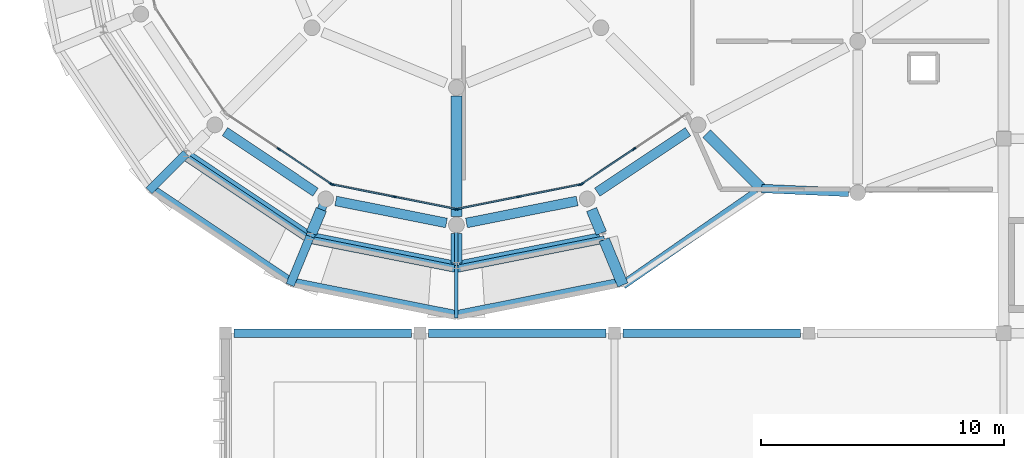
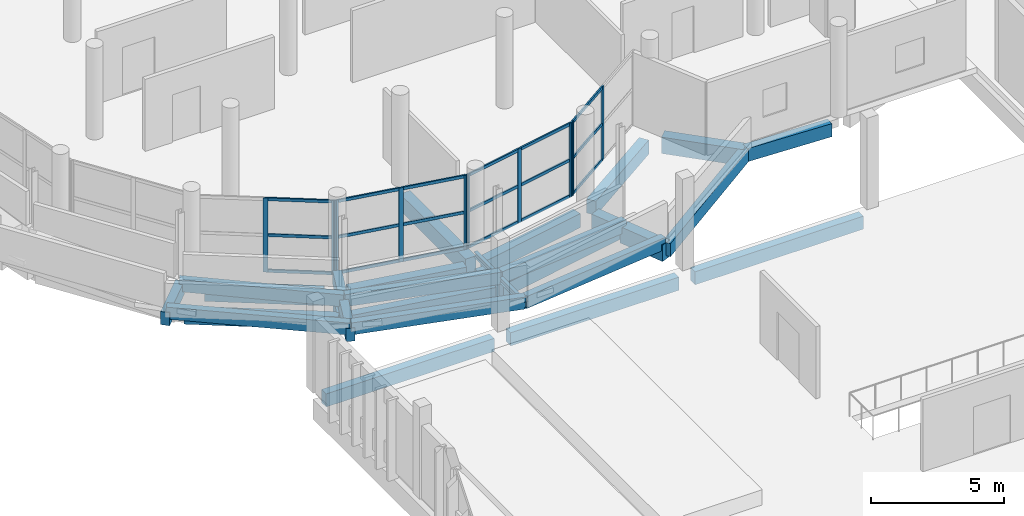
# One storey, part 9 of 137: 29 beams, 28 members, 4 elements without a shape of their own.
"""IFC4 building model written with IfcOpenShell, lengths in metres."""

from ifc_helpers import new_model, si_unit, direction, frame, origin, origin_2d, place, context, subcontext, project, spatial, rectangle, i_section, extrude, material, layer, layer_set, material_profile, profile_set, type_object, element, aggregate, save


model = new_model("IFC4")

# Units and contexts
model_context = context("Model", 3, precision=1e-05, world=origin(), true_north=direction((0.0, 1.0)))
body_context = subcontext(model_context, "Body", "Model", "MODEL_VIEW")
ifc_project = project(units=[si_unit("LENGTHUNIT", "METRE"), si_unit("AREAUNIT", "SQUARE_METRE"), si_unit("VOLUMEUNIT", "CUBIC_METRE"), si_unit("PLANEANGLEUNIT", "RADIAN"), si_unit("MASSUNIT", "GRAM", prefix="KILO")], contexts=[model_context])

# Site, building, storey
site_placement = place(None, origin())
site = spatial("IfcSite", under=ifc_project, at=site_placement, CompositionType="ELEMENT")
building_placement = place(site_placement, origin())
building = spatial("IfcBuilding", under=site, at=building_placement, Name="Jelvoka-Kovrelna Polytechnic", CompositionType="ELEMENT")
storey_placement = place(building_placement, frame((0.0, 0.0, 9.60009765625)))
storey = spatial("IfcBuildingStorey", under=building, at=storey_placement, Name="L03", CompositionType="ELEMENT", Elevation=9.60009765625)

# Beams
ifc_material_1 = material(Name="Concrete C35/45", Category="concrete")
ifc_material_profile_1 = material_profile(ifc_material_1, rectangle(XDim=0.35009765625, YDim=0.60009765625, at=origin_2d()), Name="RC 350x600")
ifc_profile_set_1 = profile_set([ifc_material_profile_1], Name="Concrete C35/45")
beam_type_1 = type_object("IfcBeamType", Name="Beam_RC_350x600", PredefinedType="BEAM", material=ifc_profile_set_1)
beam_1_placement = place(storey_placement, frame((20.123291015625, 29.51953125, 0.31494140625), z_axis=(-0.38270467954, -0.923870731357, 0.0), x_axis=(0.923870731357, -0.38270467954, 0.0)))
element("IfcBeam", 1, at=beam_1_placement, inside=storey, type_object=beam_type_1, Name="L03 spiral ramp inner tie beam 3.9", PredefinedType="BEAM", context=body_context, shape_type="SweptSolid", body=[
    extrude(rectangle(XDim=0.35009765625, YDim=0.60009765625, at=origin_2d()), origin(), (0.0, 0.0, 1.0), 1.670166015625),
])
for number, where, z_axis, x_axis, name in (
    (2, (19.484130859375, 27.9765625, 0.31494140625), (-0.382608018592, -0.923910766313, 0.0), (0.923910766313, -0.382608018592, 0.0), "L03 spiral ramp cantilever bracket 3.9"),
    (3, (14.38427734375, 31.38427734375, 0.73486328125), (-0.707106781187, -0.707106781187, 0.0), (0.707106781187, -0.707106781187, 0.0), "L03 spiral ramp cantilever bracket 3.8"),
):
    element("IfcBeam", number, at=place(storey_placement, frame(where, z_axis=z_axis, x_axis=x_axis)), inside=storey, type_object=beam_type_1, Name=name, PredefinedType="BEAM", context=body_context, shape_type="SweptSolid", body=[
        extrude(rectangle(XDim=0.35009765625, YDim=0.60009765625, at=origin_2d()), origin(), (0.0, 0.0, 1.0), 2.159912109375),
    ])
ifc_material_2 = material(Name="Concrete C40/50", Category="concrete")
ifc_material_profile_2 = material_profile(ifc_material_2, rectangle(XDim=0.39990234375, YDim=0.64990234375, at=origin_2d()), Name="RC 400x650")
ifc_profile_set_2 = profile_set([ifc_material_profile_2], Name="Concrete C40/50")
beam_type_2 = type_object("IfcBeamType", Name="Beam_RC_400x650", PredefinedType="BEAM", material=ifc_profile_set_2)
beam_2_placement = place(storey_placement, frame((15.98095703125, 32.287109375, -0.5751953125), z_axis=(0.831496756319, -0.55552960698, 0.0), x_axis=(0.55552960698, 0.831496756319, 0.0)))
element("IfcBeam", 4, at=beam_2_placement, inside=storey, type_object=beam_type_2, Name="L03 beam 2492", PredefinedType="BEAM", context=body_context, shape_type="SweptSolid", body=[
    extrude(rectangle(XDim=0.39990234375, YDim=0.64990234375, at=origin_2d()), origin(), (0.0, 0.0, 1.0), 4.481689453125),
])
for number, where, z_axis, x_axis, name in (
    (5, (20.5361328125, 29.4375, -0.5751953125), (0.980774461066, -0.195144706619, 0.0), (0.195144706619, 0.980774461066, 0.0), "L03 beam 2493"),
    (6, (25.912841796875, 28.531982421875, -0.5751953125), (0.980774461066, 0.195144706619, 0.0), (-0.195144706619, 0.980774461066, 0.0), "L03 beam 2494"),
):
    element("IfcBeam", number, at=place(storey_placement, frame(where, z_axis=z_axis, x_axis=x_axis)), inside=storey, type_object=beam_type_2, Name=name, PredefinedType="BEAM", context=body_context, shape_type="SweptSolid", body=[
        extrude(rectangle(XDim=0.39990234375, YDim=0.64990234375, at=origin_2d()), origin(), (0.0, 0.0, 1.0), 4.64013671875),
    ])
beam_3_placement = place(storey_placement, frame((31.29248046875, 29.79736328125, -0.5751953125), z_axis=(0.831496756319, 0.55552960698, 0.0), x_axis=(-0.55552960698, 0.831496756319, 0.0)))
element("IfcBeam", 7, at=beam_3_placement, inside=storey, type_object=beam_type_2, Name="L03 beam 2495", PredefinedType="BEAM", context=body_context, shape_type="SweptSolid", body=[
    extrude(rectangle(XDim=0.39990234375, YDim=0.64990234375, at=origin_2d()), origin(), (0.0, 0.0, 1.0), 4.481689453125),
])
ifc_material_3 = material(Name="Concrete C40/50", Category="concrete")
ifc_material_profile_3 = material_profile(ifc_material_3, rectangle(XDim=0.449951171875, YDim=0.75, at=origin_2d()), Name="RC 450x750")
ifc_profile_set_3 = profile_set([ifc_material_profile_3], Name="Concrete C40/50")
beam_type_3 = type_object("IfcBeamType", Name="Beam_RC_450x750", PredefinedType="BEAM", material=ifc_profile_set_3)
beam_4_placement = place(storey_placement, frame((25.5, 33.7451171875, -0.625), z_axis=(0.0, -1.0, 0.0), x_axis=(1.0, 0.0, 0.0)))
element("IfcBeam", 8, at=beam_4_placement, inside=storey, type_object=beam_type_3, Name="L03 beam 2475", PredefinedType="BEAM", context=body_context, shape_type="SweptSolid", body=[
    extrude(rectangle(XDim=0.449951171875, YDim=0.75, at=origin_2d()), origin(), (0.0, 0.0, 1.0), 4.940185546875),
])
beam_5_placement = place(storey_placement, frame((19.943603515625, 29.085205078125, -0.625), z_axis=(-0.382822216634, -0.923822033971, 0.0), x_axis=(0.923822033971, -0.382822216634, 0.0)))
element("IfcBeam", 9, at=beam_5_placement, inside=storey, type_object=beam_type_3, Name="L03 beam 2506", PredefinedType="BEAM", context=body_context, shape_type="SweptSolid", body=[
    extrude(rectangle(XDim=0.449951171875, YDim=0.75, at=origin_2d()), origin(), (0.0, 0.0, 1.0), 1.05419921875),
])
beam_6_placement = place(storey_placement, frame((25.5, 28.094970703125, -0.625), z_axis=(0.0, -1.0, 0.0), x_axis=(1.0, 0.0, 0.0)))
element("IfcBeam", 10, at=beam_6_placement, inside=storey, type_object=beam_type_3, Name="L03 beam 2507", PredefinedType="BEAM", context=body_context, shape_type="SweptSolid", body=[
    extrude(rectangle(XDim=0.449951171875, YDim=0.75, at=origin_2d()), origin(), (0.0, 0.0, 1.0), 1.2080078125),
])
beam_7_placement = place(storey_placement, frame((31.056396484375, 29.085205078125, -0.625), z_axis=(0.382822216634, -0.923822033971, 0.0), x_axis=(0.923822033971, 0.382822216634, 0.0)))
element("IfcBeam", 11, at=beam_7_placement, inside=storey, type_object=beam_type_3, Name="L03 beam 2508", PredefinedType="BEAM", context=body_context, shape_type="SweptSolid", body=[
    extrude(rectangle(XDim=0.449951171875, YDim=0.75, at=origin_2d()), origin(), (0.0, 0.0, 1.0), 1.05419921875),
])
beam_8_placement = place(storey_placement, frame((31.571533203125, 27.841796875, -0.625), z_axis=(0.38266938507, -0.923885350966, 0.0), x_axis=(0.923885350966, 0.38266938507, 0.0)))
element("IfcBeam", 12, at=beam_8_placement, inside=storey, type_object=beam_type_3, Name="L03 beam 2509", PredefinedType="BEAM", context=body_context, shape_type="SweptSolid", body=[
    extrude(rectangle(XDim=0.449951171875, YDim=0.75, at=origin_2d()), origin(), (0.0, 0.0, 1.0), 2.01416015625),
])
beam_9_placement = place(storey_placement, frame((35.7958984375, 32.2041015625, -0.625), z_axis=(0.707106781187, -0.707106781187, 0.0), x_axis=(0.707106781187, 0.707106781187, 0.0)))
element("IfcBeam", 13, at=beam_9_placement, inside=storey, type_object=beam_type_3, Name="L03 beam 2510", PredefinedType="BEAM", context=body_context, shape_type="SweptSolid", body=[
    extrude(rectangle(XDim=0.449951171875, YDim=0.75, at=origin_2d()), origin(), (0.0, 0.0, 1.0), 3.189208984375),
])

# Curtain wall, members
ifc_material_4 = material(Name="Anodised aluminium 6063-T6", Category="aluminium")
ifc_layer = layer(ifc_material_4, 0.179931640625)
ifc_layer_set = layer_set([ifc_layer], Name="Anodised aluminium 6063-T6")
curtain_wall_type = type_object("IfcCurtainWallType", Name="CW_Pavilion", PredefinedType="NOTDEFINED", material=ifc_layer_set)
curtain_wall_1_placement = place(storey_placement, origin())
curtain_wall_1 = element("IfcCurtainWall", 14, at=curtain_wall_1_placement, inside=storey, type_object=curtain_wall_type, Name="L03 glazed curtain wall 240", PredefinedType="NOTDEFINED")
ifc_material_5 = material(Name="Anodised aluminium 6063-T6", Category="aluminium")
ifc_material_profile_4 = material_profile(ifc_material_5, rectangle(XDim=0.06494140625, YDim=0.179931640625, at=origin_2d()), Name="ALU 65x180")
ifc_profile_set_4 = profile_set([ifc_material_profile_4], Name="Anodised aluminium 6063-T6")
member_type_1 = type_object("IfcMemberType", Name="Mullion_M-05", PredefinedType="MULLION", material=ifc_profile_set_4)
member_1_placement = place(storey_placement, frame((20.344970703125, 30.137939453125, -0.02490234375), z_axis=(0.0, 0.0, 1.0), x_axis=(-0.555582639326, -0.83146132254, 0.0)))
member_1 = element("IfcMember", 15, at=member_1_placement, type_object=member_type_1, Name="CW-05 mullion 1", PredefinedType="MULLION", context=body_context, shape_type="SweptSolid", body=[
    extrude(rectangle(XDim=0.06494140625, YDim=0.179931640625, at=origin_2d()), origin(), (0.0, 0.0, 1.0), 3.39990234375),
])
member_2_placement = place(storey_placement, frame((18.198486328125, 31.572509765625, -0.02490234375), z_axis=(0.0, 0.0, 1.0), x_axis=(-0.555582639326, -0.83146132254, 0.0)))
member_2 = element("IfcMember", 16, at=member_2_placement, type_object=member_type_1, Name="CW-05 mullion 2", PredefinedType="MULLION", context=body_context, shape_type="SweptSolid", body=[
    extrude(rectangle(XDim=0.06494140625, YDim=0.179931640625, at=origin_2d()), origin(), (0.0, 0.0, 1.0), 3.39990234375),
])

curtain_wall_2_placement = place(storey_placement, origin())
curtain_wall_2 = element("IfcCurtainWall", 17, at=curtain_wall_2_placement, inside=storey, type_object=curtain_wall_type, Name="L03 glazed curtain wall 241", PredefinedType="NOTDEFINED")
member_3_placement = place(storey_placement, frame((25.468017578125, 29.1064453125, -0.02490234375), z_axis=(0.0, 0.0, 1.0), x_axis=(-0.195086160371, -0.980786108197, 0.0)))
member_3 = element("IfcMember", 18, at=member_3_placement, type_object=member_type_1, Name="CW-05 mullion 1", PredefinedType="MULLION", context=body_context, shape_type="SweptSolid", body=[
    extrude(rectangle(XDim=0.06494140625, YDim=0.179931640625, at=origin_2d()), origin(), (0.0, 0.0, 1.0), 3.39990234375),
])
member_4_placement = place(storey_placement, frame((22.93603515625, 29.610107421875, -0.02490234375), z_axis=(0.0, 0.0, 1.0), x_axis=(-0.195086160371, -0.980786108197, 0.0)))
member_4 = element("IfcMember", 19, at=member_4_placement, type_object=member_type_1, Name="CW-05 mullion 2", PredefinedType="MULLION", context=body_context, shape_type="SweptSolid", body=[
    extrude(rectangle(XDim=0.06494140625, YDim=0.179931640625, at=origin_2d()), origin(), (0.0, 0.0, 1.0), 3.39990234375),
])
member_5_placement = place(storey_placement, frame((20.40380859375, 30.11376953125, -0.02490234375), z_axis=(0.0, 0.0, 1.0), x_axis=(-0.195086160371, -0.980786108197, 0.0)))
member_5 = element("IfcMember", 20, at=member_5_placement, type_object=member_type_1, Name="CW-05 mullion 3", PredefinedType="MULLION", context=body_context, shape_type="SweptSolid", body=[
    extrude(rectangle(XDim=0.06494140625, YDim=0.179931640625, at=origin_2d()), origin(), (0.0, 0.0, 1.0), 3.39990234375),
])

curtain_wall_3_placement = place(storey_placement, origin())
curtain_wall_3 = element("IfcCurtainWall", 21, at=curtain_wall_3_placement, inside=storey, type_object=curtain_wall_type, Name="L03 glazed curtain wall 242", PredefinedType="NOTDEFINED")
member_6_placement = place(storey_placement, frame((30.59619140625, 30.11376953125, -0.02490234375), z_axis=(0.0, 0.0, 1.0), x_axis=(0.195086160371, -0.980786108197, 0.0)))
member_6 = element("IfcMember", 22, at=member_6_placement, type_object=member_type_1, Name="CW-05 mullion 1", PredefinedType="MULLION", context=body_context, shape_type="SweptSolid", body=[
    extrude(rectangle(XDim=0.06494140625, YDim=0.179931640625, at=origin_2d()), origin(), (0.0, 0.0, 1.0), 3.39990234375),
])
member_7_placement = place(storey_placement, frame((28.06396484375, 29.610107421875, -0.02490234375), z_axis=(0.0, 0.0, 1.0), x_axis=(0.195086160371, -0.980786108197, 0.0)))
member_7 = element("IfcMember", 23, at=member_7_placement, type_object=member_type_1, Name="CW-05 mullion 2", PredefinedType="MULLION", context=body_context, shape_type="SweptSolid", body=[
    extrude(rectangle(XDim=0.06494140625, YDim=0.179931640625, at=origin_2d()), origin(), (0.0, 0.0, 1.0), 3.39990234375),
])
member_8_placement = place(storey_placement, frame((25.531982421875, 29.1064453125, -0.02490234375), z_axis=(0.0, 0.0, 1.0), x_axis=(0.195086160371, -0.980786108197, 0.0)))
member_8 = element("IfcMember", 24, at=member_8_placement, type_object=member_type_1, Name="CW-05 mullion 3", PredefinedType="MULLION", context=body_context, shape_type="SweptSolid", body=[
    extrude(rectangle(XDim=0.06494140625, YDim=0.179931640625, at=origin_2d()), origin(), (0.0, 0.0, 1.0), 3.39990234375),
])

curtain_wall_4_placement = place(storey_placement, origin())
curtain_wall_4 = element("IfcCurtainWall", 25, at=curtain_wall_4_placement, inside=storey, type_object=curtain_wall_type, Name="L03 glazed curtain wall 243", PredefinedType="NOTDEFINED")
member_9_placement = place(storey_placement, frame((32.801513671875, 31.572509765625, -0.02490234375), z_axis=(0.0, 0.0, 1.0), x_axis=(0.555582639326, -0.83146132254, 0.0)))
member_9 = element("IfcMember", 26, at=member_9_placement, type_object=member_type_1, Name="CW-05 mullion 2", PredefinedType="MULLION", context=body_context, shape_type="SweptSolid", body=[
    extrude(rectangle(XDim=0.06494140625, YDim=0.179931640625, at=origin_2d()), origin(), (0.0, 0.0, 1.0), 3.39990234375),
])
member_10_placement = place(storey_placement, frame((30.655029296875, 30.137939453125, -0.02490234375), z_axis=(0.0, 0.0, 1.0), x_axis=(0.555582639326, -0.83146132254, 0.0)))
member_10 = element("IfcMember", 27, at=member_10_placement, type_object=member_type_1, Name="CW-05 mullion 3", PredefinedType="MULLION", context=body_context, shape_type="SweptSolid", body=[
    extrude(rectangle(XDim=0.06494140625, YDim=0.179931640625, at=origin_2d()), origin(), (0.0, 0.0, 1.0), 3.39990234375),
])

# Beams
ifc_material_6 = material(Name="Structural steel S355JR", Category="steel")
ifc_material_profile_5 = material_profile(ifc_material_6, i_section(OverallWidth=0.14599609375, OverallDepth=0.25146484375, WebThickness=0.006103515625, FlangeThickness=0.008544921875, FilletRadius=0.007568359375, at=origin_2d()), Name="254x146x31 UB")
ifc_profile_set_5 = profile_set([ifc_material_profile_5], Name="Structural steel S355JR")
beam_type_4 = type_object("IfcBeamType", Name="Purlin_Steel_UB254", PredefinedType="JOIST", material=ifc_profile_set_5)
beam_10_placement = place(storey_placement, frame((25.5, 28.449951171875, 0.129150390625), z_axis=(0.0, -1.0, 0.0), x_axis=(1.0, 0.0, 0.0)))
element("IfcBeam", 28, at=beam_10_placement, inside=storey, type_object=beam_type_4, Name="L03 spiral ramp inner tie beam 3.10", PredefinedType="JOIST", context=body_context, shape_type="SweptSolid", body=[
    extrude(i_section(OverallWidth=0.14599609375, OverallDepth=0.25146484375, WebThickness=0.006103515625, FlangeThickness=0.008544921875, FilletRadius=0.007568359375, at=origin_2d()), origin(), (0.0, 0.0, 1.0), 1.669921875),
])
beam_11_placement = place(storey_placement, frame((25.5, 26.780029296875, 0.129150390625), z_axis=(0.0, -1.0, 0.0), x_axis=(1.0, 0.0, 0.0)))
element("IfcBeam", 29, at=beam_11_placement, inside=storey, type_object=beam_type_4, Name="L03 spiral ramp cantilever bracket 3.10", PredefinedType="JOIST", context=body_context, shape_type="SweptSolid", body=[
    extrude(i_section(OverallWidth=0.14599609375, OverallDepth=0.25146484375, WebThickness=0.006103515625, FlangeThickness=0.008544921875, FilletRadius=0.007568359375, at=origin_2d()), origin(), (0.0, 0.0, 1.0), 2.159912109375),
])
ifc_material_7 = material(Name="Concrete C40/50", Category="concrete")
ifc_material_profile_6 = material_profile(ifc_material_7, rectangle(XDim=0.300048828125, YDim=0.550048828125, at=origin_2d()), Name="RC 300x550")
ifc_profile_set_6 = profile_set([ifc_material_profile_6], Name="Concrete C40/50")
beam_type_5 = type_object("IfcBeamType", Name="Spandrel_RC_300x550", PredefinedType="SPANDREL", material=ifc_profile_set_6)
beam_12_placement = place(storey_placement, frame((32.28125, 26.12890625, -0.275146484375), z_axis=(-0.978430417341, -0.194622265834, 0.069253823462), x_axis=(0.195090664524, -0.980785212274, 0.0)))
element("IfcBeam", 30, at=beam_12_placement, inside=storey, type_object=beam_type_5, Name="L03 spiral ramp curved outer stringer 3.11", PredefinedType="SPANDREL", context=body_context, shape_type="SweptSolid", body=[
    extrude(rectangle(XDim=0.300048828125, YDim=0.550048828125, at=origin_2d()), origin(), (0.0, 0.0, 1.0), 6.9306640625),
])
beam_13_placement = place(storey_placement, frame((31.5693359375, 27.847412109375, -0.275146484375), z_axis=(-0.977840520324, -0.194545422909, 0.07733042892), x_axis=(0.195129735209, -0.980777439808, 0.0)))
element("IfcBeam", 31, at=beam_13_placement, inside=storey, type_object=beam_type_5, Name="L03 spiral ramp curved inner stringer 3.11", PredefinedType="SPANDREL", context=body_context, shape_type="SweptSolid", body=[
    extrude(rectangle(XDim=0.300048828125, YDim=0.550048828125, at=origin_2d()), origin(), (0.0, 0.0, 1.0), 6.206787109375),
])
beam_14_placement = place(storey_placement, frame((25.5, 24.780029296875, 0.204833984375), z_axis=(-0.97945765307, 0.194826596098, 0.05201253018), x_axis=(-0.195090664524, -0.980785212274, 0.0)))
element("IfcBeam", 32, at=beam_14_placement, inside=storey, type_object=beam_type_5, Name="L03 spiral ramp curved outer stringer 3.10", PredefinedType="SPANDREL", context=body_context, shape_type="SweptSolid", body=[
    extrude(rectangle(XDim=0.300048828125, YDim=0.550048828125, at=origin_2d()), origin(), (0.0, 0.0, 1.0), 6.923583984375),
])
beam_15_placement = place(storey_placement, frame((25.5, 26.639892578125, 0.204833984375), z_axis=(-0.979121052381, 0.194800190067, 0.058093465497), x_axis=(-0.195129735209, -0.980777439808, 0.0)))
element("IfcBeam", 33, at=beam_15_placement, inside=storey, type_object=beam_type_5, Name="L03 spiral ramp curved inner stringer 3.10", PredefinedType="SPANDREL", context=body_context, shape_type="SweptSolid", body=[
    extrude(rectangle(XDim=0.300048828125, YDim=0.550048828125, at=origin_2d()), origin(), (0.0, 0.0, 1.0), 6.19873046875),
])
beam_16_placement = place(storey_placement, frame((18.71875, 26.12890625, 0.56494140625), z_axis=(-0.829922883435, 0.554574307652, 0.06062462242), x_axis=(-0.555596251424, -0.831452226772, 0.0)))
element("IfcBeam", 34, at=beam_16_placement, inside=storey, type_object=beam_type_5, Name="L03 spiral ramp curved outer stringer 3.9", PredefinedType="SPANDREL", context=body_context, shape_type="SweptSolid", body=[
    extrude(rectangle(XDim=0.300048828125, YDim=0.550048828125, at=origin_2d()), origin(), (0.0, 0.0, 1.0), 6.926513671875),
])
beam_17_placement = place(storey_placement, frame((19.4306640625, 27.847412109375, 0.56494140625), z_axis=(-0.829559359423, 0.554299164858, 0.067703065158), x_axis=(-0.555573920801, -0.831467148194, 0.0)))
element("IfcBeam", 35, at=beam_17_placement, inside=storey, type_object=beam_type_5, Name="L03 spiral ramp curved inner stringer 3.9", PredefinedType="SPANDREL", context=body_context, shape_type="SweptSolid", body=[
    extrude(rectangle(XDim=0.300048828125, YDim=0.550048828125, at=origin_2d()), origin(), (0.0, 0.0, 1.0), 6.202392578125),
])
ifc_material_8 = material(Name="Concrete C40/50", Category="concrete")
ifc_material_profile_7 = material_profile(ifc_material_8, rectangle(XDim=0.35009765625, YDim=0.60009765625, at=origin_2d()), Name="RC 350x600")
ifc_profile_set_7 = profile_set([ifc_material_profile_7], Name="Concrete C40/50")
beam_type_6 = type_object("IfcBeamType", Name="Spandrel_RC_350x600", PredefinedType="SPANDREL", material=ifc_profile_set_7)
for number, where, z_axis, x_axis, name in (
    (36, (16.35498046875, 24.0, -0.585205078125), (1.0, 0.0, 0.0), (0.0, 1.0, 0.0), "L03 beam 0200"),
    (37, (24.35498046875, 24.0, -0.585205078125), (1.0, 0.0, 0.0), (0.0, 1.0, 0.0), "L03 beam 0202"),
    (38, (32.35498046875, 24.0, -0.585205078125), (1.0, 0.0, 0.0), (0.0, 1.0, 0.0), "L03 beam 0204"),
):
    element("IfcBeam", number, at=place(storey_placement, frame(where, z_axis=z_axis, x_axis=x_axis)), inside=storey, type_object=beam_type_6, Name=name, PredefinedType="SPANDREL", context=body_context, shape_type="SweptSolid", body=[
        extrude(rectangle(XDim=0.35009765625, YDim=0.60009765625, at=origin_2d()), origin(), (0.0, 0.0, 1.0), 7.2900390625),
    ])
beam_18_placement = place(storey_placement, frame((14.51416015625, 31.297607421875, -0.550048828125), z_axis=(0.831475611635, -0.555561254279, 0.0), x_axis=(0.555561254279, 0.831475611635, 0.0)))
element("IfcBeam", 39, at=beam_18_placement, inside=storey, type_object=beam_type_6, Name="L03 beam 2517", PredefinedType="SPANDREL", context=body_context, shape_type="SweptSolid", body=[
    extrude(rectangle(XDim=0.35009765625, YDim=0.60009765625, at=origin_2d()), origin(), (0.0, 0.0, 1.0), 5.8212890625),
])
for number, where, z_axis, x_axis, name in (
    (40, (19.611083984375, 27.951416015625, -0.550048828125), (0.98078154922, -0.195109079005, 0.0), (0.195109079005, 0.98078154922, 0.0), "L03 beam 2518"),
    (41, (25.626953125, 26.80517578125, -0.550048828125), (0.98078154922, 0.195109079005, 0.0), (-0.195109079005, 0.98078154922, 0.0), "L03 beam 2519"),
):
    element("IfcBeam", number, at=place(storey_placement, frame(where, z_axis=z_axis, x_axis=x_axis)), inside=storey, type_object=beam_type_6, Name=name, PredefinedType="SPANDREL", context=body_context, shape_type="SweptSolid", body=[
        extrude(rectangle(XDim=0.35009765625, YDim=0.60009765625, at=origin_2d()), origin(), (0.0, 0.0, 1.0), 5.874755859375),
    ])
beam_19_placement = place(storey_placement, frame((32.34228515625, 25.98095703125, -0.550048828125), z_axis=(0.821126306312, 0.570746519116, 0.0), x_axis=(-0.570746519116, 0.821126306312, 0.0)))
element("IfcBeam", 42, at=beam_19_placement, inside=storey, type_object=beam_type_6, Name="L03 beam 2520", PredefinedType="SPANDREL", context=body_context, shape_type="SweptSolid", body=[
    extrude(rectangle(XDim=0.35009765625, YDim=0.60009765625, at=origin_2d()), origin(), (0.0, 0.0, 1.0), 6.952392578125),
])
beam_20_placement = place(storey_placement, frame((38.051025390625, 29.948974609375, -0.550048828125), z_axis=(0.998999645375, -0.04471810081, 0.0), x_axis=(0.04471810081, 0.998999645375, 0.0)))
element("IfcBeam", 43, at=beam_20_placement, inside=storey, type_object=beam_type_6, Name="L03 beam 2523", PredefinedType="SPANDREL", context=body_context, shape_type="SweptSolid", body=[
    extrude(rectangle(XDim=0.35009765625, YDim=0.60009765625, at=origin_2d()), origin(), (0.0, 0.0, 1.0), 3.58154296875),
])

# Member
ifc_material_9 = material(Name="Anodised aluminium 6063-T6", Category="aluminium")
ifc_material_profile_8 = material_profile(ifc_material_9, rectangle(XDim=0.06494140625, YDim=0.135009765625, at=origin_2d()), Name="ALU 65x135")
ifc_profile_set_8 = profile_set([ifc_material_profile_8], Name="Anodised aluminium 6063-T6")
member_type_2 = type_object("IfcMemberType", Name="Transom_T-05", PredefinedType="USERDEFINED", material=ifc_profile_set_8)
member_11_placement = place(storey_placement, frame((20.31787109375, 30.156005859375, 0.032470703125), z_axis=(-0.831422966795, 0.555640036612, 0.0), x_axis=(-0.555640036612, -0.831422966795, 0.0)))
member_11 = element("IfcMember", 44, at=member_11_placement, type_object=member_type_2, Name="CW-05 transom 1.1", ObjectType="TRANSOM", PredefinedType="USERDEFINED", context=body_context, shape_type="SweptSolid", body=[
    extrude(rectangle(XDim=0.06494140625, YDim=0.135009765625, at=origin_2d()), origin(), (0.0, 0.0, 1.0), 2.516845703125),
])

member_12_placement = place(storey_placement, frame((20.31787109375, 30.156005859375, 1.6748046875), z_axis=(-0.831422966795, 0.555640036612, 0.0), x_axis=(-0.555640036612, -0.831422966795, 0.0)))
member_12 = element("IfcMember", 45, at=member_12_placement, type_object=member_type_2, Name="CW-05 transom 1.2", ObjectType="TRANSOM", PredefinedType="USERDEFINED", context=body_context, shape_type="SweptSolid", body=[
    extrude(rectangle(XDim=0.06494140625, YDim=0.135009765625, at=origin_2d()), origin(), (0.0, 0.0, 1.0), 2.516845703125),
])

member_13_placement = place(storey_placement, frame((20.31787109375, 30.156005859375, 3.3173828125), z_axis=(-0.831422966795, 0.555640036612, 0.0), x_axis=(-0.555640036612, -0.831422966795, 0.0)))
member_13 = element("IfcMember", 46, at=member_13_placement, type_object=member_type_2, Name="CW-05 transom 1.3", ObjectType="TRANSOM", PredefinedType="USERDEFINED", context=body_context, shape_type="SweptSolid", body=[
    extrude(rectangle(XDim=0.06494140625, YDim=0.135009765625, at=origin_2d()), origin(), (0.0, 0.0, 1.0), 2.516845703125),
])

aggregate(curtain_wall_1, [member_1, member_2, member_11, member_12, member_13])

member_14_placement = place(storey_placement, frame((25.436279296875, 29.11279296875, 0.032470703125), z_axis=(-0.980789047023, 0.195071384983, 0.0), x_axis=(-0.195071384983, -0.980789047023, 0.0)))
member_14 = element("IfcMember", 47, at=member_14_placement, type_object=member_type_2, Name="CW-05 transom 1.1", ObjectType="TRANSOM", PredefinedType="USERDEFINED", context=body_context, shape_type="SweptSolid", body=[
    extrude(rectangle(XDim=0.06494140625, YDim=0.135009765625, at=origin_2d()), origin(), (0.0, 0.0, 1.0), 2.516845703125),
])

member_15_placement = place(storey_placement, frame((25.436279296875, 29.11279296875, 1.6748046875), z_axis=(-0.980789047023, 0.195071384983, 0.0), x_axis=(-0.195071384983, -0.980789047023, 0.0)))
member_15 = element("IfcMember", 48, at=member_15_placement, type_object=member_type_2, Name="CW-05 transom 1.2", ObjectType="TRANSOM", PredefinedType="USERDEFINED", context=body_context, shape_type="SweptSolid", body=[
    extrude(rectangle(XDim=0.06494140625, YDim=0.135009765625, at=origin_2d()), origin(), (0.0, 0.0, 1.0), 2.516845703125),
])

member_16_placement = place(storey_placement, frame((25.436279296875, 29.11279296875, 3.3173828125), z_axis=(-0.980789047023, 0.195071384983, 0.0), x_axis=(-0.195071384983, -0.980789047023, 0.0)))
member_16 = element("IfcMember", 49, at=member_16_placement, type_object=member_type_2, Name="CW-05 transom 1.3", ObjectType="TRANSOM", PredefinedType="USERDEFINED", context=body_context, shape_type="SweptSolid", body=[
    extrude(rectangle(XDim=0.06494140625, YDim=0.135009765625, at=origin_2d()), origin(), (0.0, 0.0, 1.0), 2.516845703125),
])

member_17_placement = place(storey_placement, frame((22.904052734375, 29.616455078125, 0.032470703125), z_axis=(-0.980785355287, 0.195089945547, 0.0), x_axis=(-0.195089945547, -0.980785355287, 0.0)))
member_17 = element("IfcMember", 50, at=member_17_placement, type_object=member_type_2, Name="CW-05 transom 2.1", ObjectType="TRANSOM", PredefinedType="USERDEFINED", context=body_context, shape_type="SweptSolid", body=[
    extrude(rectangle(XDim=0.06494140625, YDim=0.135009765625, at=origin_2d()), origin(), (0.0, 0.0, 1.0), 2.5166015625),
])

member_18_placement = place(storey_placement, frame((22.904052734375, 29.616455078125, 1.6748046875), z_axis=(-0.980785355287, 0.195089945547, 0.0), x_axis=(-0.195089945547, -0.980785355287, 0.0)))
member_18 = element("IfcMember", 51, at=member_18_placement, type_object=member_type_2, Name="CW-05 transom 2.2", ObjectType="TRANSOM", PredefinedType="USERDEFINED", context=body_context, shape_type="SweptSolid", body=[
    extrude(rectangle(XDim=0.06494140625, YDim=0.135009765625, at=origin_2d()), origin(), (0.0, 0.0, 1.0), 2.5166015625),
])

member_19_placement = place(storey_placement, frame((22.904052734375, 29.616455078125, 3.3173828125), z_axis=(-0.980785355287, 0.195089945547, 0.0), x_axis=(-0.195089945547, -0.980785355287, 0.0)))
member_19 = element("IfcMember", 52, at=member_19_placement, type_object=member_type_2, Name="CW-05 transom 2.3", ObjectType="TRANSOM", PredefinedType="USERDEFINED", context=body_context, shape_type="SweptSolid", body=[
    extrude(rectangle(XDim=0.06494140625, YDim=0.135009765625, at=origin_2d()), origin(), (0.0, 0.0, 1.0), 2.5166015625),
])

aggregate(curtain_wall_2, [member_3, member_4, member_5, member_14, member_15, member_16, member_17, member_18, member_19])

member_20_placement = place(storey_placement, frame((30.564208984375, 30.107421875, 0.032470703125), z_axis=(-0.980785355287, -0.195089945547, 0.0), x_axis=(0.195089945547, -0.980785355287, 0.0)))
member_20 = element("IfcMember", 53, at=member_20_placement, type_object=member_type_2, Name="CW-05 transom 1.1", ObjectType="TRANSOM", PredefinedType="USERDEFINED", context=body_context, shape_type="SweptSolid", body=[
    extrude(rectangle(XDim=0.06494140625, YDim=0.135009765625, at=origin_2d()), origin(), (0.0, 0.0, 1.0), 2.5166015625),
])

member_21_placement = place(storey_placement, frame((30.564208984375, 30.107421875, 1.6748046875), z_axis=(-0.980785355287, -0.195089945547, 0.0), x_axis=(0.195089945547, -0.980785355287, 0.0)))
member_21 = element("IfcMember", 54, at=member_21_placement, type_object=member_type_2, Name="CW-05 transom 1.2", ObjectType="TRANSOM", PredefinedType="USERDEFINED", context=body_context, shape_type="SweptSolid", body=[
    extrude(rectangle(XDim=0.06494140625, YDim=0.135009765625, at=origin_2d()), origin(), (0.0, 0.0, 1.0), 2.5166015625),
])

member_22_placement = place(storey_placement, frame((30.564208984375, 30.107421875, 3.3173828125), z_axis=(-0.980785355287, -0.195089945547, 0.0), x_axis=(0.195089945547, -0.980785355287, 0.0)))
member_22 = element("IfcMember", 55, at=member_22_placement, type_object=member_type_2, Name="CW-05 transom 1.3", ObjectType="TRANSOM", PredefinedType="USERDEFINED", context=body_context, shape_type="SweptSolid", body=[
    extrude(rectangle(XDim=0.06494140625, YDim=0.135009765625, at=origin_2d()), origin(), (0.0, 0.0, 1.0), 2.5166015625),
])

member_23_placement = place(storey_placement, frame((28.0322265625, 29.603759765625, 0.032470703125), z_axis=(-0.980789047023, -0.195071384983, 0.0), x_axis=(0.195071384983, -0.980789047023, 0.0)))
member_23 = element("IfcMember", 56, at=member_23_placement, type_object=member_type_2, Name="CW-05 transom 2.1", ObjectType="TRANSOM", PredefinedType="USERDEFINED", context=body_context, shape_type="SweptSolid", body=[
    extrude(rectangle(XDim=0.06494140625, YDim=0.135009765625, at=origin_2d()), origin(), (0.0, 0.0, 1.0), 2.516845703125),
])

member_24_placement = place(storey_placement, frame((28.0322265625, 29.603759765625, 1.6748046875), z_axis=(-0.980789047023, -0.195071384983, 0.0), x_axis=(0.195071384983, -0.980789047023, 0.0)))
member_24 = element("IfcMember", 57, at=member_24_placement, type_object=member_type_2, Name="CW-05 transom 2.2", ObjectType="TRANSOM", PredefinedType="USERDEFINED", context=body_context, shape_type="SweptSolid", body=[
    extrude(rectangle(XDim=0.06494140625, YDim=0.135009765625, at=origin_2d()), origin(), (0.0, 0.0, 1.0), 2.516845703125),
])

member_25_placement = place(storey_placement, frame((28.0322265625, 29.603759765625, 3.3173828125), z_axis=(-0.980789047023, -0.195071384983, 0.0), x_axis=(0.195071384983, -0.980789047023, 0.0)))
member_25 = element("IfcMember", 58, at=member_25_placement, type_object=member_type_2, Name="CW-05 transom 2.3", ObjectType="TRANSOM", PredefinedType="USERDEFINED", context=body_context, shape_type="SweptSolid", body=[
    extrude(rectangle(XDim=0.06494140625, YDim=0.135009765625, at=origin_2d()), origin(), (0.0, 0.0, 1.0), 2.516845703125),
])

aggregate(curtain_wall_3, [member_6, member_7, member_8, member_20, member_21, member_22, member_23, member_24, member_25])

member_26_placement = place(storey_placement, frame((32.774658203125, 31.554443359375, 0.032470703125), z_axis=(-0.831422966795, -0.555640036612, 0.0), x_axis=(0.555640036612, -0.831422966795, 0.0)))
member_26 = element("IfcMember", 59, at=member_26_placement, type_object=member_type_2, Name="CW-05 transom 2.1", ObjectType="TRANSOM", PredefinedType="USERDEFINED", context=body_context, shape_type="SweptSolid", body=[
    extrude(rectangle(XDim=0.06494140625, YDim=0.135009765625, at=origin_2d()), origin(), (0.0, 0.0, 1.0), 2.516845703125),
])

member_27_placement = place(storey_placement, frame((32.774658203125, 31.554443359375, 1.6748046875), z_axis=(-0.831422966795, -0.555640036612, 0.0), x_axis=(0.555640036612, -0.831422966795, 0.0)))
member_27 = element("IfcMember", 60, at=member_27_placement, type_object=member_type_2, Name="CW-05 transom 2.2", ObjectType="TRANSOM", PredefinedType="USERDEFINED", context=body_context, shape_type="SweptSolid", body=[
    extrude(rectangle(XDim=0.06494140625, YDim=0.135009765625, at=origin_2d()), origin(), (0.0, 0.0, 1.0), 2.516845703125),
])

member_28_placement = place(storey_placement, frame((32.774658203125, 31.554443359375, 3.3173828125), z_axis=(-0.831422966795, -0.555640036612, 0.0), x_axis=(0.555640036612, -0.831422966795, 0.0)))
member_28 = element("IfcMember", 61, at=member_28_placement, type_object=member_type_2, Name="CW-05 transom 2.3", ObjectType="TRANSOM", PredefinedType="USERDEFINED", context=body_context, shape_type="SweptSolid", body=[
    extrude(rectangle(XDim=0.06494140625, YDim=0.135009765625, at=origin_2d()), origin(), (0.0, 0.0, 1.0), 2.516845703125),
])

aggregate(curtain_wall_4, [member_9, member_10, member_26, member_27, member_28])

save(model, "model.ifc")
